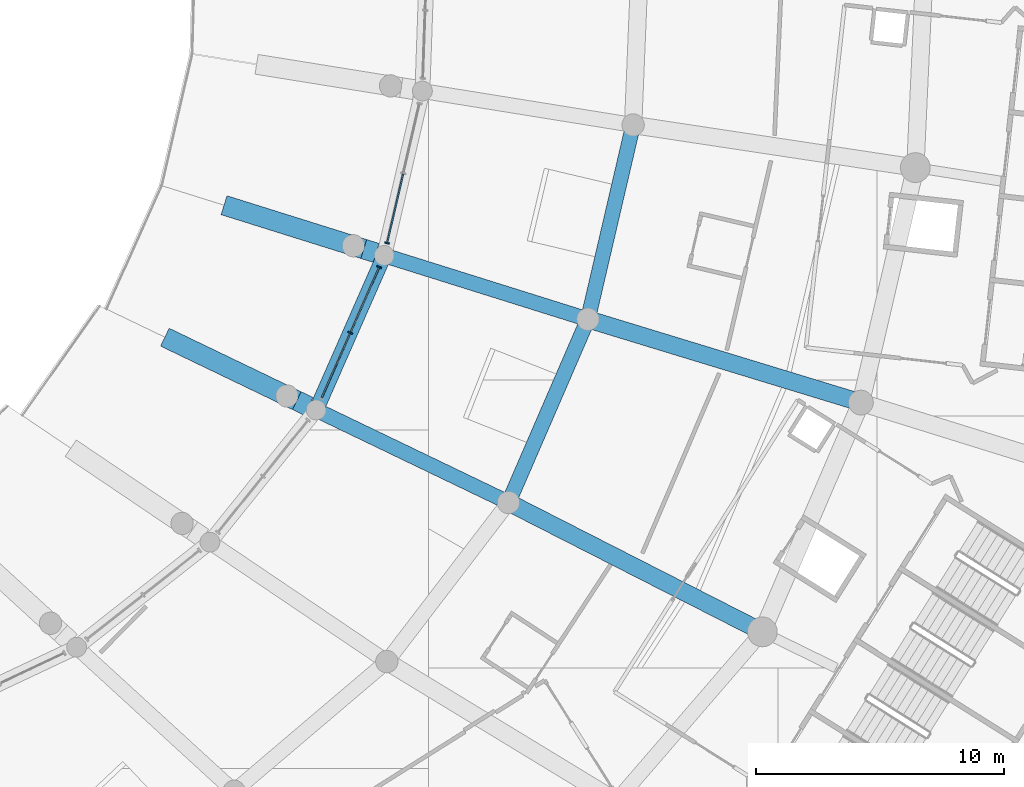
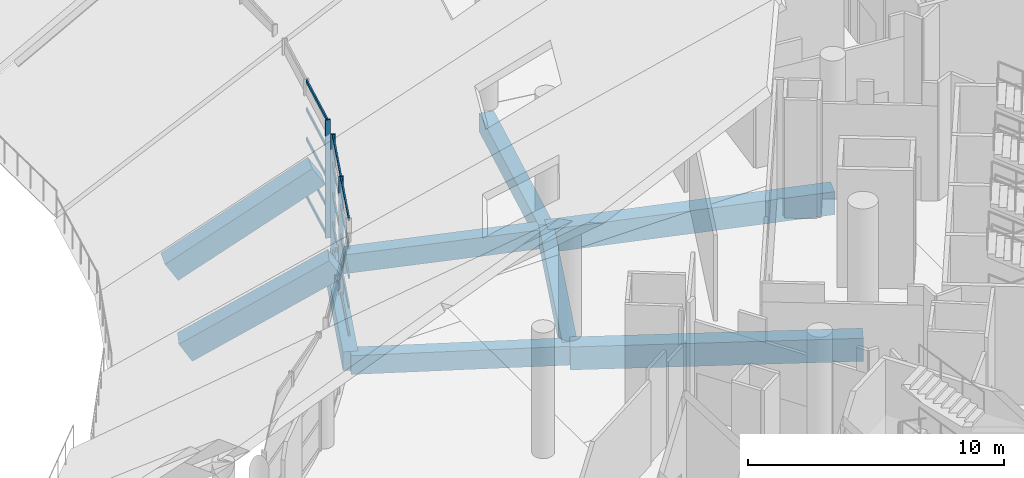
# One storey, part 37 of 249: 18 members, 9 beams, 2 elements without a shape of their own.
"""IFC4 building model written with IfcOpenShell, lengths in metres."""

import ifcopenshell
import ifcopenshell.guid

model = None  # the IFC model being written
_history = None  # IfcOwnerHistory: only IFC2X3 demands one
_inside = {}  # id of a spatial element -> (the spatial element, [elements in it])
_under = {}  # id of a project, library or spatial element -> (it, [spatial elements below it])
_declared = {}  # id of a project -> (the project, [libraries it declares])
_typed = {}  # id of a type object -> (the type object, [elements of that type])
_made_of = {}  # id of a material, layer set ... -> (it, [elements and type objects made of it])


def new_model(schema):
    """Start an empty IFC model of exactly this schema.

    Asked for "IFC4X3", IfcOpenShell would pick the latest addendum, in which some entities
    have other attributes; the version numbers below select the first issue.
    IFC2X3 requires an IfcOwnerHistory on every rooted entity: one is made here for all.
    """
    global model, _history
    if schema == "IFC4X3":
        model = ifcopenshell.file(schema_version=(4, 3, 0, 0))
    else:
        model = ifcopenshell.file(schema=schema)
    _inside.clear()
    _under.clear()
    _declared.clear()
    _typed.clear()
    _made_of.clear()
    _history = None
    if model.schema == "IFC2X3":
        org = make("IfcOrganization", Name="unknown")
        user = make(
            "IfcPersonAndOrganization",
            ThePerson=make("IfcPerson", FamilyName="unknown"),
            TheOrganization=org,
        )
        app = make(
            "IfcApplication",
            ApplicationDeveloper=org,
            Version="unknown",
            ApplicationFullName="unknown",
            ApplicationIdentifier="unknown",
        )
        _history = make(
            "IfcOwnerHistory",
            OwningUser=user,
            OwningApplication=app,
            ChangeAction="ADDED",
            CreationDate=0,
        )
    return model


def make(cls, **values):
    """One entity of the class cls with the attributes given. An attribute that is None is left unset."""
    return model.create_entity(
        cls, **{name: value for name, value in values.items() if value is not None}
    )


def rooted(cls, **values):
    """An entity with a GlobalId (a new one), such as an element, a storey or a relation."""
    return make(cls, GlobalId=ifcopenshell.guid.new(), OwnerHistory=_history, **values)


def si_unit(unit_type, name, prefix=None):
    """IfcSIUnit, for example si_unit("LENGTHUNIT", "METRE", prefix="MILLI")."""
    return make("IfcSIUnit", UnitType=unit_type, Prefix=prefix, Name=name)


def assignment(units):
    """IfcUnitAssignment: the units of a project."""
    return None if units is None else make("IfcUnitAssignment", Units=units)


def point(xyz):
    """IfcCartesianPoint."""
    return None if xyz is None else make("IfcCartesianPoint", Coordinates=xyz)


def direction(xyz):
    """IfcDirection."""
    return None if xyz is None else make("IfcDirection", DirectionRatios=xyz)


def frame(location, z_axis=None, x_axis=None):
    """IfcAxis2Placement3D, a coordinate frame: its origin and axes. An axis left out is left unset."""
    return make(
        "IfcAxis2Placement3D",
        Location=point(location),
        Axis=direction(z_axis),
        RefDirection=direction(x_axis),
    )


def frame_2d(location, x_axis=None):
    """IfcAxis2Placement2D, a coordinate frame in the plane: its origin and x axis."""
    return make(
        "IfcAxis2Placement2D", Location=point(location), RefDirection=direction(x_axis)
    )


def origin():
    """The frame at (0, 0, 0) with its axes left unset."""
    return frame((0.0, 0.0, 0.0))


def origin_2d():
    """The frame at (0, 0) in the plane with its x axis left unset."""
    return frame_2d((0.0, 0.0))


def place(relative_to, where):
    """IfcLocalPlacement: puts the frame where relative to a parent placement (None: the world)."""
    return make(
        "IfcLocalPlacement", PlacementRelTo=relative_to, RelativePlacement=where
    )


def context(
    kind, dimensions, precision=None, world=None, true_north=None, identifier=None
):
    """IfcGeometricRepresentationContext, for example the 3D "Model" context."""
    return make(
        "IfcGeometricRepresentationContext",
        ContextIdentifier=identifier,
        ContextType=kind,
        CoordinateSpaceDimension=dimensions,
        Precision=precision,
        WorldCoordinateSystem=world,
        TrueNorth=true_north,
    )


def subcontext(parent, identifier, kind, view, scale=None):
    """IfcGeometricRepresentationSubContext, for example "Body" below "Model"."""
    return make(
        "IfcGeometricRepresentationSubContext",
        ContextIdentifier=identifier,
        ContextType=kind,
        ParentContext=parent,
        TargetScale=scale,
        TargetView=view,
    )


def project(units=None, contexts=None):
    """IfcProject with its units and contexts."""
    return rooted(
        "IfcProject",
        Name="project",
        RepresentationContexts=contexts,
        UnitsInContext=assignment(units),
    )


def spatial(cls, under=None, at=None, **own):
    """A site, building, storey or space (cls), placed at a placement, below another one or the project."""
    s = rooted(cls, ObjectPlacement=at, **own)
    if under is not None:
        _under.setdefault(under.id(), (under, []))[1].append(s)
    return s


def profile(cls, at=None, kind="AREA", **sizes):
    """A parametric profile (cls). Its sizes go by their IFC names, for example OverallWidth=200.0."""
    return make(cls, ProfileType=kind, Position=at, **sizes)


def rectangle(**sizes):
    """IfcRectangleProfileDef."""
    return profile("IfcRectangleProfileDef", **sizes)


def extrude(swept, where, along, depth):
    """IfcExtrudedAreaSolid: the profile swept, set in the frame where, extruded along a direction by depth."""
    return make(
        "IfcExtrudedAreaSolid",
        SweptArea=swept,
        Position=where,
        ExtrudedDirection=direction(along),
        Depth=depth,
    )


def shape(context_of_items, identifier, shape_type, items):
    """IfcShapeRepresentation: the items that make up one representation, for example the "Body"."""
    return make(
        "IfcShapeRepresentation",
        ContextOfItems=context_of_items,
        RepresentationIdentifier=identifier,
        RepresentationType=shape_type,
        Items=items,
    )


def material(Name=None, Category=None):
    """IfcMaterial."""
    return make("IfcMaterial", Name=Name, Category=Category)


def layer(
    of_material, thickness, ventilated=None, Name=None, Category=None, Priority=None
):
    """IfcMaterialLayer: one layer of a wall or slab, of a material (None: an air gap)."""
    return make(
        "IfcMaterialLayer",
        Material=of_material,
        LayerThickness=thickness,
        IsVentilated=ventilated,
        Name=Name,
        Category=Category,
        Priority=Priority,
    )


def layer_set(layers, Name=None):
    """IfcMaterialLayerSet."""
    return make("IfcMaterialLayerSet", MaterialLayers=layers, LayerSetName=Name)


def material_profile(
    of_material, cross_section, Name=None, Category=None, Priority=None
):
    """IfcMaterialProfile: a cross section and its material."""
    return make(
        "IfcMaterialProfile",
        Name=Name,
        Material=of_material,
        Profile=cross_section,
        Priority=Priority,
        Category=Category,
    )


def profile_set(profiles, Name=None, composite=None):
    """IfcMaterialProfileSet."""
    return make(
        "IfcMaterialProfileSet",
        Name=Name,
        MaterialProfiles=profiles,
        CompositeProfile=composite,
    )


def made_of(thing, what):
    """Note that an element or type object is made of a material, layer set ...; save() writes the relation."""
    if what is not None:
        _made_of.setdefault(what.id(), (what, []))[1].append(thing)
    return thing


def type_object(cls, material=None, **own):
    """A type object (cls), such as IfcWallType, which elements share."""
    return made_of(rooted(cls, **own), material)


def element(
    cls,
    number,
    at=None,
    inside=None,
    cuts=None,
    type_object=None,
    material=None,
    context=None,
    identifier="Body",
    shape_type=None,
    held_by="IfcProductDefinitionShape",
    body=None,
    shapes=None,
    **own,
):
    """One element of the class cls, such as IfcWall. Its Tag is "e" and its number.

    at: its placement. inside: the storey or other place that contains it. cuts: it is an
    opening in that element (IfcRelVoidsElement). A single representation is given by context,
    identifier, shape_type and body (its items); several are given by shapes. held_by: the class
    of the entity that holds the representations. save() writes the other relations.
    """
    e = rooted(cls, Tag="e%d" % number, ObjectPlacement=at, **own)
    if body is not None:
        shapes = [shape(context, identifier, shape_type, body)]
    if shapes is not None:
        e.Representation = make(held_by, Representations=shapes)
    if inside is not None:
        _inside.setdefault(inside.id(), (inside, []))[1].append(e)
    if cuts is not None:
        rooted(
            "IfcRelVoidsElement", RelatingBuildingElement=cuts, RelatedOpeningElement=e
        )
    if type_object is not None:
        _typed.setdefault(type_object.id(), (type_object, []))[1].append(e)
    return made_of(e, material)


def aggregate(whole, parts):
    """IfcRelAggregates: a whole, such as a stair, and the parts it consists of."""
    return rooted("IfcRelAggregates", RelatingObject=whole, RelatedObjects=parts)


def save(model, path):
    """Write the relations noted so far, then the file.

    IfcRelAggregates (storeys below a building ...), IfcRelContainedInSpatialStructure (elements
    in a storey), IfcRelDefinesByType, IfcRelAssociatesMaterial and IfcRelDeclares: one each for
    every whole, place, type object, material and project.
    """
    for whole, parts in _under.values():
        aggregate(whole, parts)
    for where, things in _inside.values():
        rooted(
            "IfcRelContainedInSpatialStructure",
            RelatedElements=things,
            RelatingStructure=where,
        )
    for kind, things in _typed.values():
        rooted("IfcRelDefinesByType", RelatedObjects=things, RelatingType=kind)
    for what, things in _made_of.values():
        rooted("IfcRelAssociatesMaterial", RelatedObjects=things, RelatingMaterial=what)
    for by, libraries in _declared.values():
        rooted("IfcRelDeclares", RelatingContext=by, RelatedDefinitions=libraries)
    model.write(path)


model = new_model("IFC4")

# Units and contexts
model_context = context("Model", 3, precision=1e-05, world=origin(), true_north=direction((0.0, 1.0)))
body_context = subcontext(model_context, "Body", "Model", "MODEL_VIEW")
ifc_project = project(units=[si_unit("LENGTHUNIT", "METRE"), si_unit("AREAUNIT", "SQUARE_METRE"), si_unit("VOLUMEUNIT", "CUBIC_METRE"), si_unit("PLANEANGLEUNIT", "RADIAN"), si_unit("MASSUNIT", "GRAM", prefix="KILO")], contexts=[model_context])

# Site, building, storey
site_placement = place(None, origin())
site = spatial("IfcSite", under=ifc_project, at=site_placement, CompositionType="ELEMENT")
building_placement = place(site_placement, origin())
building = spatial("IfcBuilding", under=site, at=building_placement, Name="Meseta Stadium", CompositionType="ELEMENT")
storey_placement = place(building_placement, frame((0.0, 0.0, 12.0)))
storey = spatial("IfcBuildingStorey", under=building, at=storey_placement, Name="L02", CompositionType="ELEMENT", Elevation=12.0)

# Curtain wall, members
ifc_material_1 = material(Name="Aluminium", Category="aluminium")
ifc_layer = layer(ifc_material_1, 0.199951171875)
ifc_layer_set = layer_set([ifc_layer], Name="Suite glazing curtain wall")
curtain_wall_type = type_object("IfcCurtainWallType", Name="Suite glazing curtain wall", PredefinedType="NOTDEFINED", material=ifc_layer_set)
curtain_wall_1_placement = place(storey_placement, origin())
curtain_wall_1 = element("IfcCurtainWall", 1, at=curtain_wall_1_placement, inside=storey, type_object=curtain_wall_type, Name="Suite glazing bay 54", PredefinedType="NOTDEFINED")
ifc_material_2 = material(Name="Aluminium", Category="aluminium")
ifc_material_profile_1 = material_profile(ifc_material_2, rectangle(XDim=0.199951171875, YDim=0.06005859375, at=origin_2d()), Name="CW 200x60")
ifc_profile_set_1 = profile_set([ifc_material_profile_1], Name="Aluminium")
member_type_1 = type_object("IfcMemberType", Name="CW mullion 60x200", PredefinedType="MULLION", material=ifc_profile_set_1)
member_1_placement = place(storey_placement, frame((61.59228515625, -60.21875, 0.0), z_axis=(0.0, 0.0, 1.0), x_axis=(-0.915207323968, 0.402983317466, 0.0)))
member_1 = element("IfcMember", 2, at=member_1_placement, type_object=member_type_1, Name="CWS mullion 2", PredefinedType="MULLION", context=body_context, shape_type="SweptSolid", body=[
    extrude(rectangle(XDim=0.199951171875, YDim=0.06005859375, at=origin_2d()), origin(), (0.0, 0.0, 1.0), 5.64990234375),
])
member_2_placement = place(storey_placement, frame((62.75732421875, -57.572998046875, 0.0), z_axis=(0.0, 0.0, 1.0), x_axis=(-0.915207323968, 0.402983317466, 0.0)))
member_2 = element("IfcMember", 3, at=member_2_placement, type_object=member_type_1, Name="CWS mullion 3", PredefinedType="MULLION", context=body_context, shape_type="SweptSolid", body=[
    extrude(rectangle(XDim=0.199951171875, YDim=0.06005859375, at=origin_2d()), origin(), (0.0, 0.0, 1.0), 5.64990234375),
])

# Curtain wall, member
curtain_wall_2_placement = place(storey_placement, origin())
curtain_wall_2 = element("IfcCurtainWall", 4, at=curtain_wall_2_placement, inside=storey, type_object=curtain_wall_type, Name="Suite glazing bay 55", PredefinedType="NOTDEFINED")
member_3_placement = place(storey_placement, frame((63.0791015625, -56.607421875, 0.0), z_axis=(0.0, 0.0, 1.0), x_axis=(-0.974092857522, 0.226148413492, 0.0)))
member_3 = element("IfcMember", 5, at=member_3_placement, type_object=member_type_1, Name="CWS mullion 1", PredefinedType="MULLION", context=body_context, shape_type="SweptSolid", body=[
    extrude(rectangle(XDim=0.199951171875, YDim=0.06005859375, at=origin_2d()), origin(), (0.0, 0.0, 1.0), 5.64990234375),
])

# Member
ifc_material_3 = material(Name="Aluminium", Category="aluminium")
ifc_material_profile_2 = material_profile(ifc_material_3, rectangle(XDim=0.06005859375, YDim=0.14990234375, at=origin_2d()), Name="CW 60x150")
ifc_profile_set_2 = profile_set([ifc_material_profile_2], Name="Aluminium")
member_type_2 = type_object("IfcMemberType", Name="CW transom 60x150", PredefinedType="USERDEFINED", material=ifc_profile_set_2)
member_4_placement = place(storey_placement, frame((60.439453125, -62.837158203125, 0.074951171875), z_axis=(0.402975573282, 0.915210733841, 0.0), x_axis=(-0.915210733841, 0.402975573282, 0.0)))
member_4 = element("IfcMember", 6, at=member_4_placement, type_object=member_type_2, Name="CWS transom 1.1", ObjectType="TRANSOM", PredefinedType="USERDEFINED", context=body_context, shape_type="SweptSolid", body=[
    extrude(rectangle(XDim=0.06005859375, YDim=0.14990234375, at=origin_2d()), origin(), (0.0, 0.0, 1.0), 2.8310546875),
])

member_5_placement = place(storey_placement, frame((60.439453125, -62.837158203125, 1.41259765625), z_axis=(0.402975573282, 0.915210733841, 0.0), x_axis=(-0.915210733841, 0.402975573282, 0.0)))
member_5 = element("IfcMember", 7, at=member_5_placement, type_object=member_type_2, Name="CWS transom 1.2", ObjectType="TRANSOM", PredefinedType="USERDEFINED", context=body_context, shape_type="SweptSolid", body=[
    extrude(rectangle(XDim=0.06005859375, YDim=0.14990234375, at=origin_2d()), origin(), (0.0, 0.0, 1.0), 2.8310546875),
])

member_6_placement = place(storey_placement, frame((60.439453125, -62.837158203125, 2.824951171875), z_axis=(0.402975573282, 0.915210733841, 0.0), x_axis=(-0.915210733841, 0.402975573282, 0.0)))
member_6 = element("IfcMember", 8, at=member_6_placement, type_object=member_type_2, Name="CWS transom 1.3", ObjectType="TRANSOM", PredefinedType="USERDEFINED", context=body_context, shape_type="SweptSolid", body=[
    extrude(rectangle(XDim=0.06005859375, YDim=0.14990234375, at=origin_2d()), origin(), (0.0, 0.0, 1.0), 2.8310546875),
])

member_7_placement = place(storey_placement, frame((60.439453125, -62.837158203125, 4.237548828125), z_axis=(0.402975573282, 0.915210733841, 0.0), x_axis=(-0.915210733841, 0.402975573282, 0.0)))
member_7 = element("IfcMember", 9, at=member_7_placement, type_object=member_type_2, Name="CWS transom 1.4", ObjectType="TRANSOM", PredefinedType="USERDEFINED", context=body_context, shape_type="SweptSolid", body=[
    extrude(rectangle(XDim=0.06005859375, YDim=0.14990234375, at=origin_2d()), origin(), (0.0, 0.0, 1.0), 2.8310546875),
])

member_8_placement = place(storey_placement, frame((60.439453125, -62.837158203125, 5.574951171875), z_axis=(0.402975573282, 0.915210733841, 0.0), x_axis=(-0.915210733841, 0.402975573282, 0.0)))
member_8 = element("IfcMember", 10, at=member_8_placement, type_object=member_type_2, Name="CWS transom 1.5", ObjectType="TRANSOM", PredefinedType="USERDEFINED", context=body_context, shape_type="SweptSolid", body=[
    extrude(rectangle(XDim=0.06005859375, YDim=0.14990234375, at=origin_2d()), origin(), (0.0, 0.0, 1.0), 2.8310546875),
])

member_9_placement = place(storey_placement, frame((61.6044921875, -60.191162109375, 0.074951171875), z_axis=(0.402935141114, 0.915228535425, 0.0), x_axis=(-0.915228535425, 0.402935141114, 0.0)))
member_9 = element("IfcMember", 11, at=member_9_placement, type_object=member_type_2, Name="CWS transom 2.1", ObjectType="TRANSOM", PredefinedType="USERDEFINED", context=body_context, shape_type="SweptSolid", body=[
    extrude(rectangle(XDim=0.06005859375, YDim=0.14990234375, at=origin_2d()), origin(), (0.0, 0.0, 1.0), 2.830810546875),
])

member_10_placement = place(storey_placement, frame((61.6044921875, -60.191162109375, 1.41259765625), z_axis=(0.402935141114, 0.915228535425, 0.0), x_axis=(-0.915228535425, 0.402935141114, 0.0)))
member_10 = element("IfcMember", 12, at=member_10_placement, type_object=member_type_2, Name="CWS transom 2.2", ObjectType="TRANSOM", PredefinedType="USERDEFINED", context=body_context, shape_type="SweptSolid", body=[
    extrude(rectangle(XDim=0.06005859375, YDim=0.14990234375, at=origin_2d()), origin(), (0.0, 0.0, 1.0), 2.830810546875),
])

member_11_placement = place(storey_placement, frame((61.6044921875, -60.191162109375, 2.824951171875), z_axis=(0.402935141114, 0.915228535425, 0.0), x_axis=(-0.915228535425, 0.402935141114, 0.0)))
member_11 = element("IfcMember", 13, at=member_11_placement, type_object=member_type_2, Name="CWS transom 2.3", ObjectType="TRANSOM", PredefinedType="USERDEFINED", context=body_context, shape_type="SweptSolid", body=[
    extrude(rectangle(XDim=0.06005859375, YDim=0.14990234375, at=origin_2d()), origin(), (0.0, 0.0, 1.0), 2.830810546875),
])

member_12_placement = place(storey_placement, frame((61.6044921875, -60.191162109375, 4.237548828125), z_axis=(0.402935141114, 0.915228535425, 0.0), x_axis=(-0.915228535425, 0.402935141114, 0.0)))
member_12 = element("IfcMember", 14, at=member_12_placement, type_object=member_type_2, Name="CWS transom 2.4", ObjectType="TRANSOM", PredefinedType="USERDEFINED", context=body_context, shape_type="SweptSolid", body=[
    extrude(rectangle(XDim=0.06005859375, YDim=0.14990234375, at=origin_2d()), origin(), (0.0, 0.0, 1.0), 2.830810546875),
])

member_13_placement = place(storey_placement, frame((61.6044921875, -60.191162109375, 5.574951171875), z_axis=(0.402935141114, 0.915228535425, 0.0), x_axis=(-0.915228535425, 0.402935141114, 0.0)))
member_13 = element("IfcMember", 15, at=member_13_placement, type_object=member_type_2, Name="CWS transom 2.5", ObjectType="TRANSOM", PredefinedType="USERDEFINED", context=body_context, shape_type="SweptSolid", body=[
    extrude(rectangle(XDim=0.06005859375, YDim=0.14990234375, at=origin_2d()), origin(), (0.0, 0.0, 1.0), 2.830810546875),
])

aggregate(curtain_wall_1, [member_1, member_2, member_4, member_5, member_6, member_7, member_8, member_9, member_10, member_11, member_12, member_13])

member_14_placement = place(storey_placement, frame((63.085693359375, -56.578125, 0.074951171875), z_axis=(0.226163322124, 0.974089396167, 0.0), x_axis=(-0.974089396167, 0.226163322124, 0.0)))
member_14 = element("IfcMember", 16, at=member_14_placement, type_object=member_type_2, Name="CWS transom 1.1", ObjectType="TRANSOM", PredefinedType="USERDEFINED", context=body_context, shape_type="SweptSolid", body=[
    extrude(rectangle(XDim=0.06005859375, YDim=0.14990234375, at=origin_2d()), origin(), (0.0, 0.0, 1.0), 2.830322265625),
])

member_15_placement = place(storey_placement, frame((63.085693359375, -56.578125, 1.41259765625), z_axis=(0.226163322124, 0.974089396167, 0.0), x_axis=(-0.974089396167, 0.226163322124, 0.0)))
member_15 = element("IfcMember", 17, at=member_15_placement, type_object=member_type_2, Name="CWS transom 1.2", ObjectType="TRANSOM", PredefinedType="USERDEFINED", context=body_context, shape_type="SweptSolid", body=[
    extrude(rectangle(XDim=0.06005859375, YDim=0.14990234375, at=origin_2d()), origin(), (0.0, 0.0, 1.0), 2.830322265625),
])

member_16_placement = place(storey_placement, frame((63.085693359375, -56.578125, 2.824951171875), z_axis=(0.226163322124, 0.974089396167, 0.0), x_axis=(-0.974089396167, 0.226163322124, 0.0)))
member_16 = element("IfcMember", 18, at=member_16_placement, type_object=member_type_2, Name="CWS transom 1.3", ObjectType="TRANSOM", PredefinedType="USERDEFINED", context=body_context, shape_type="SweptSolid", body=[
    extrude(rectangle(XDim=0.06005859375, YDim=0.14990234375, at=origin_2d()), origin(), (0.0, 0.0, 1.0), 2.830322265625),
])

member_17_placement = place(storey_placement, frame((63.085693359375, -56.578125, 4.237548828125), z_axis=(0.226163322124, 0.974089396167, 0.0), x_axis=(-0.974089396167, 0.226163322124, 0.0)))
member_17 = element("IfcMember", 19, at=member_17_placement, type_object=member_type_2, Name="CWS transom 1.4", ObjectType="TRANSOM", PredefinedType="USERDEFINED", context=body_context, shape_type="SweptSolid", body=[
    extrude(rectangle(XDim=0.06005859375, YDim=0.14990234375, at=origin_2d()), origin(), (0.0, 0.0, 1.0), 2.830322265625),
])

member_18_placement = place(storey_placement, frame((63.085693359375, -56.578125, 5.574951171875), z_axis=(0.226163322124, 0.974089396167, 0.0), x_axis=(-0.974089396167, 0.226163322124, 0.0)))
member_18 = element("IfcMember", 20, at=member_18_placement, type_object=member_type_2, Name="CWS transom 1.5", ObjectType="TRANSOM", PredefinedType="USERDEFINED", context=body_context, shape_type="SweptSolid", body=[
    extrude(rectangle(XDim=0.06005859375, YDim=0.14990234375, at=origin_2d()), origin(), (0.0, 0.0, 1.0), 2.830322265625),
])

aggregate(curtain_wall_2, [member_3, member_14, member_15, member_16, member_17, member_18])

# Beams
ifc_material_4 = material(Name="Concrete C40/50", Category="concrete")
ifc_material_profile_3 = material_profile(ifc_material_4, rectangle(XDim=0.60009765625, YDim=0.89990234375, at=origin_2d()), Name="RC 600x900")
ifc_profile_set_3 = profile_set([ifc_material_profile_3], Name="Concrete C40/50")
beam_type_1 = type_object("IfcBeamType", Name="RC beam 600x900", PredefinedType="BEAM", material=ifc_profile_set_3)
beam_1_placement = place(storey_placement, frame((60.22216796875, -63.33056640625, -0.800048828125), z_axis=(0.402982741988, 0.915207577361, 0.0), x_axis=(-0.915207577361, 0.402982741988, 0.0)))
element("IfcBeam", 21, at=beam_1_placement, inside=storey, type_object=beam_type_1, Name="L02 ring beam frame 54 line D", PredefinedType="BEAM", context=body_context, shape_type="SweptSolid", body=[
    extrude(rectangle(XDim=0.60009765625, YDim=0.89990234375, at=origin_2d()), origin(), (0.0, 0.0, 1.0), 6.802978515625),
])
beam_2_placement = place(storey_placement, frame((67.972412109375, -67.057861328125, -0.800048828125), z_axis=(0.397502661884, 0.91760102103, 0.0), x_axis=(-0.91760102103, 0.397502661884, 0.0)))
element("IfcBeam", 22, at=beam_2_placement, inside=storey, type_object=beam_type_1, Name="L02 ring beam frame 54 line E", PredefinedType="BEAM", context=body_context, shape_type="SweptSolid", body=[
    extrude(rectangle(XDim=0.60009765625, YDim=0.89990234375, at=origin_2d()), origin(), (0.0, 0.0, 1.0), 8.04345703125),
])
beam_3_placement = place(storey_placement, frame((71.169677734375, -59.67724609375, -0.800048828125), z_axis=(0.226697740265, 0.973965160855, 0.0), x_axis=(-0.973965160855, 0.226697740265, 0.0)))
element("IfcBeam", 23, at=beam_3_placement, inside=storey, type_object=beam_type_1, Name="L02 ring beam frame 55 line E", PredefinedType="BEAM", context=body_context, shape_type="SweptSolid", body=[
    extrude(rectangle(XDim=0.60009765625, YDim=0.89990234375, at=origin_2d()), origin(), (0.0, 0.0, 1.0), 8.039306640625),
])
for number, where, z_axis, x_axis, name in (
    (24, (60.22216796875, -63.33056640625, -0.800048828125), (0.901197200503, -0.433409282094, 0.0), (0.433409282094, 0.901197200503, 0.0), "L02 radial beam frame 54 line D to E"),
    (25, (62.963623046875, -57.1044921875, -0.800048828125), (0.9542027514, -0.299160674588, 0.0), (0.299160674588, 0.9542027514, 0.0), "L02 radial beam frame 55 line D to E"),
):
    element("IfcBeam", number, at=place(storey_placement, frame(where, z_axis=z_axis, x_axis=x_axis)), inside=storey, type_object=beam_type_1, Name=name, PredefinedType="BEAM", context=body_context, shape_type="SweptSolid", body=[
        extrude(rectangle(XDim=0.60009765625, YDim=0.89990234375, at=origin_2d()), origin(), (0.0, 0.0, 1.0), 8.599853515625),
    ])
ifc_material_5 = material(Name="Concrete C40/50", Category="concrete")
ifc_material_profile_4 = material_profile(ifc_material_5, rectangle(XDim=0.699951171875, YDim=1.10009765625, at=origin_2d()), Name="RC 700x1100")
ifc_profile_set_4 = profile_set([ifc_material_profile_4], Name="Concrete C40/50")
beam_type_2 = type_object("IfcBeamType", Name="RC beam 700x1100", PredefinedType="BEAM", material=ifc_profile_set_4)
beam_4_placement = place(storey_placement, frame((67.972412109375, -67.057861328125, -0.89990234375), z_axis=(0.890868510984, -0.454261264184, 0.0), x_axis=(0.454261264184, 0.890868510984, 0.0)))
element("IfcBeam", 26, at=beam_4_placement, inside=storey, type_object=beam_type_2, Name="L02 radial beam frame 54 line E to P", PredefinedType="BEAM", context=body_context, shape_type="SweptSolid", body=[
    extrude(rectangle(XDim=0.699951171875, YDim=1.10009765625, at=origin_2d()), origin(), (0.0, 0.0, 1.0), 11.478271484375),
])
beam_5_placement = place(storey_placement, frame((71.169677734375, -59.67724609375, -0.89990234375), z_axis=(0.956461260307, -0.291859311198, 0.0), x_axis=(0.291859311198, 0.956461260307, 0.0)))
element("IfcBeam", 27, at=beam_5_placement, inside=storey, type_object=beam_type_2, Name="L02 radial beam frame 55 line E to P", PredefinedType="BEAM", context=body_context, shape_type="SweptSolid", body=[
    extrude(rectangle(XDim=0.699951171875, YDim=1.10009765625, at=origin_2d()), origin(), (0.0, 0.0, 1.0), 11.500244140625),
])
ifc_material_6 = material(Name="Concrete C40/50", Category="concrete")
ifc_material_profile_5 = material_profile(ifc_material_6, rectangle(XDim=0.800048828125, YDim=1.0, at=origin_2d()), Name="RC 800x1000")
ifc_profile_set_5 = profile_set([ifc_material_profile_5], Name="Concrete C40/50")
beam_type_3 = type_object("IfcBeamType", Name="RC raker upper front 800x1000", PredefinedType="USERDEFINED", material=ifc_profile_set_5)
for number, where, z_axis, x_axis, name in (
    (28, (54.3642578125, -60.513427734375, 0.200927734375), (0.764771792007, -0.367795571398, 0.529009001634), (0.433406251215, 0.901198658126, 0.0), "Raker upper front frame 54 upper tier"),
    (29, (56.76123046875, -55.159912109375, -0.055419921875), (0.809742926729, -0.253843522, 0.529036727411), (0.299132503643, 0.95421158307, 0.0), "Raker upper front frame 55 upper tier"),
):
    element("IfcBeam", number, at=place(storey_placement, frame(where, z_axis=z_axis, x_axis=x_axis)), inside=storey, type_object=beam_type_3, Name=name, ObjectType="RAKER", PredefinedType="USERDEFINED", context=body_context, shape_type="SweptSolid", body=[
        extrude(rectangle(XDim=0.800048828125, YDim=1.0, at=origin_2d()), origin(), (0.0, 0.0, 1.0), 6.95263671875),
    ])

save(model, "model.ifc")
